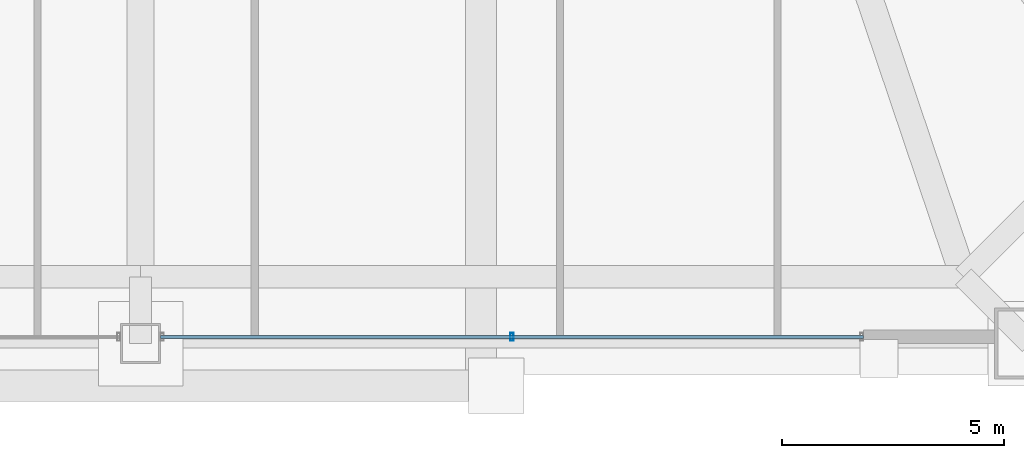
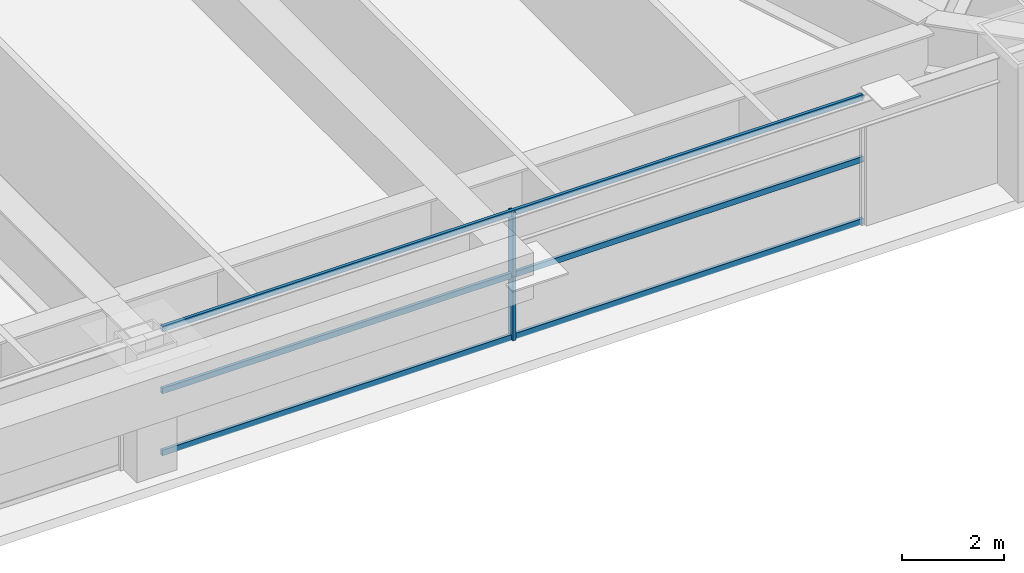
# One storey, part 16 of 45: 5 members, 1 element without a shape of its own.
"""IFC4 building model written with IfcOpenShell, lengths in metres."""

from ifc_helpers import new_model, si_unit, direction, frame, origin, origin_2d, place, context, subcontext, project, spatial, hollow_rectangle, extrude, source, transform, mapped, material, layer, layer_set, material_profile, profile_set, type_object, element, aggregate, save


model = new_model("IFC4")

# Units and contexts
model_context = context("Model", 3, precision=1e-05, world=origin(), true_north=direction((0.0, 1.0)))
body_context = subcontext(model_context, "Body", "Model", "MODEL_VIEW")
ifc_project = project(units=[si_unit("LENGTHUNIT", "METRE"), si_unit("AREAUNIT", "SQUARE_METRE"), si_unit("VOLUMEUNIT", "CUBIC_METRE"), si_unit("PLANEANGLEUNIT", "RADIAN"), si_unit("MASSUNIT", "GRAM", prefix="KILO"), si_unit("THERMODYNAMICTEMPERATUREUNIT", "KELVIN"), si_unit("POWERUNIT", "WATT")], contexts=[model_context])

# Site, building, storey
site_placement = place(None, origin())
site = spatial("IfcSite", under=ifc_project, at=site_placement, CompositionType="ELEMENT")
building_placement = place(site_placement, origin())
building = spatial("IfcBuilding", under=site, at=building_placement, Name="Yuzanri Waterfront Tower", CompositionType="ELEMENT")
storey_placement = place(building_placement, frame((0.0, 0.0, 163.199951171875)))
storey = spatial("IfcBuildingStorey", under=building, at=storey_placement, Name="L43", CompositionType="ELEMENT", Elevation=163.199951171875)

# Curtain wall, members
ifc_material_1 = material(Name="Anodized Architectural Bronze", Category="metal")
ifc_layer = layer(ifc_material_1, 0.159912109375)
ifc_layer_set = layer_set([ifc_layer], Name="Anodized Architectural Bronze")
curtain_wall_type = type_object("IfcCurtainWallType", Name="Anodized Bronze Hotel Upper-Tier Solar-Control Unitized Curtain Wall 7800", PredefinedType="NOTDEFINED", material=ifc_layer_set)
curtain_wall_placement = place(storey_placement, origin())
curtain_wall = element("IfcCurtainWall", 1, at=curtain_wall_placement, inside=storey, type_object=curtain_wall_type, Name="L43 Curtain Wall CW-L43-SR", PredefinedType="NOTDEFINED")
ifc_material_2 = material(Name="Anodized Architectural Bronze", Category="metal")
ifc_material_profile_1 = material_profile(ifc_material_2, hollow_rectangle(XDim=0.070068359375, YDim=0.135009765625, WallThickness=0.00341796875, at=origin_2d()), Name="CWT 70x135")
ifc_profile_set_1 = profile_set([ifc_material_profile_1], Name="Anodized Architectural Bronze")
member_type_1 = type_object("IfcMemberType", Name="Anodized Bronze Standard Curtain-Wall Transom 70x135", PredefinedType="USERDEFINED", material=ifc_profile_set_1)
shared_shape_1 = source(origin(), body_context, "Body", "SweptSolid", [
    extrude(hollow_rectangle(XDim=0.070068359375, YDim=0.135009765625, WallThickness=0.00341796875, at=origin_2d()), origin(), (0.0, 0.0, 1.0), 15.800048828125),
])
member_1_placement = place(storey_placement, frame((37.449951171875, 2.35009765625, 0.050048828125), z_axis=(1.0, 0.0, 0.0), x_axis=(0.0, 1.0, 0.0)))
member_1 = element("IfcMember", 2, at=member_1_placement, type_object=member_type_1, Name="CW-L43-SR Transom 1", ObjectType="TRANSOM", PredefinedType="USERDEFINED", context=body_context, shape_type="MappedRepresentation", body=[
    mapped(shared_shape_1, transform((0.0, 0.0, 0.0), scale=1.0)),
])
member_2_placement = place(storey_placement, frame((37.449951171875, 2.35009765625, 1.525146484375), z_axis=(1.0, 0.0, 0.0), x_axis=(0.0, 1.0, 0.0)))
member_2 = element("IfcMember", 3, at=member_2_placement, type_object=member_type_1, Name="CW-L43-SR Transom 2", ObjectType="TRANSOM", PredefinedType="USERDEFINED", context=body_context, shape_type="MappedRepresentation", body=[
    mapped(shared_shape_1, transform((0.0, 0.0, 0.0), scale=1.0)),
])
member_3_placement = place(storey_placement, frame((37.449951171875, 2.35009765625, 3.0), z_axis=(1.0, 0.0, 0.0), x_axis=(0.0, 1.0, 0.0)))
member_3 = element("IfcMember", 4, at=member_3_placement, type_object=member_type_1, Name="CW-L43-SR Transom 3", ObjectType="TRANSOM", PredefinedType="USERDEFINED", context=body_context, shape_type="MappedRepresentation", body=[
    mapped(shared_shape_1, transform((0.0, 0.0, 0.0), scale=1.0)),
])
ifc_material_3 = material(Name="Anodized Architectural Bronze", Category="metal")
ifc_material_profile_2 = material_profile(ifc_material_3, hollow_rectangle(XDim=0.070068359375, YDim=0.179931640625, WallThickness=0.00390625, at=origin_2d()), Name="CWM 70x180")
ifc_profile_set_2 = profile_set([ifc_material_profile_2], Name="Anodized Architectural Bronze")
member_type_2 = type_object("IfcMemberType", Name="Anodized Bronze Standard Curtain-Wall Mullion 70x180", PredefinedType="MULLION", material=ifc_profile_set_2)
shared_shape_2 = source(origin(), body_context, "Body", "SweptSolid", [
    extrude(hollow_rectangle(XDim=0.070068359375, YDim=0.179931640625, WallThickness=0.00390625, at=origin_2d()), origin(), (0.0, 0.0, 1.0), 1.52294921875),
])
member_4_placement = place(storey_placement, frame((45.35009765625, 2.35009765625, 0.0), z_axis=(0.0, 0.0, 1.0), x_axis=(1.0, 0.0, 0.0)))
member_4 = element("IfcMember", 5, at=member_4_placement, type_object=member_type_2, Name="CW-L43-SR Lower Mullion 01", PredefinedType="MULLION", context=body_context, shape_type="MappedRepresentation", body=[
    mapped(shared_shape_2, transform((0.0, 0.0, 0.0), scale=1.0)),
])
member_5_placement = place(storey_placement, frame((45.35009765625, 2.35009765625, 1.527099609375), z_axis=(0.0, 0.0, 1.0), x_axis=(1.0, 0.0, 0.0)))
member_5 = element("IfcMember", 6, at=member_5_placement, type_object=member_type_2, Name="CW-L43-SR Upper Mullion 01", PredefinedType="MULLION", context=body_context, shape_type="MappedRepresentation", body=[
    mapped(shared_shape_2, transform((0.0, 0.0, 0.0), scale=1.0)),
])
aggregate(curtain_wall, [member_4, member_5, member_1, member_2, member_3])

save(model, "model.ifc")
